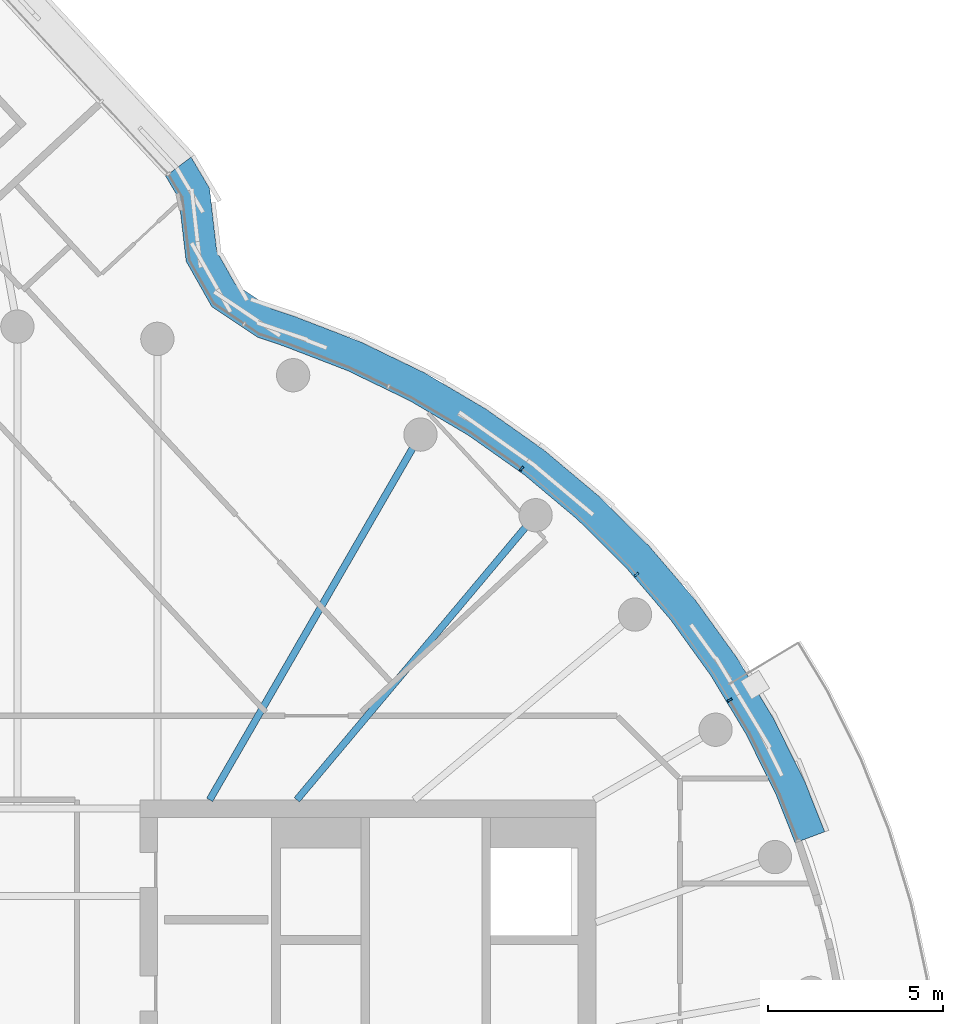
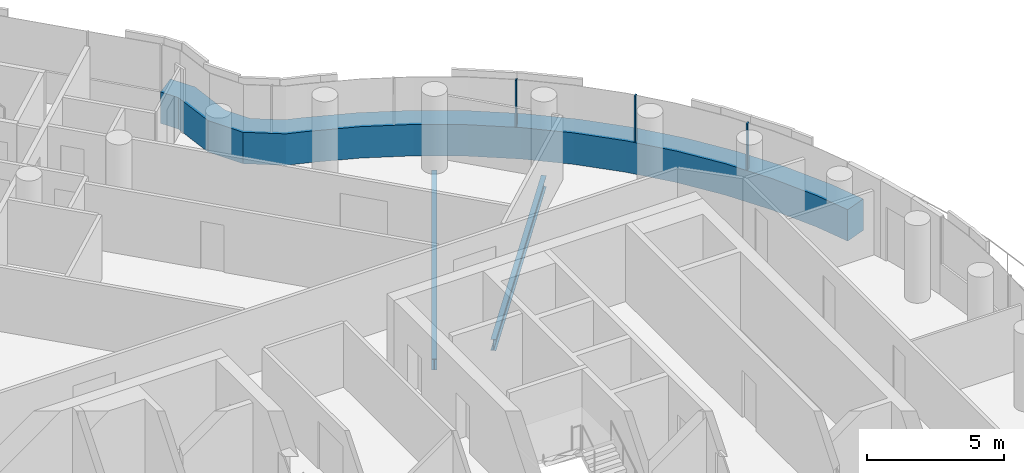
# One storey, part 13 of 34: 4 members, 2 beams, 1 element without a shape of its own.
"""IFC4 building model written with IfcOpenShell, lengths in metres."""

from ifc_helpers import new_model, si_unit, direction, frame, origin, origin_2d, place, context, subcontext, project, spatial, polyline, rectangle, i_section, outline, extrude, material, layer, layer_set, material_profile, profile_set, type_object, element, aggregate, save


model = new_model("IFC4")

# Units and contexts
model_context = context("Model", 3, precision=1e-05, world=origin(), true_north=direction((0.0, 1.0)))
body_context = subcontext(model_context, "Body", "Model", "MODEL_VIEW")
ifc_project = project(units=[si_unit("LENGTHUNIT", "METRE"), si_unit("AREAUNIT", "SQUARE_METRE"), si_unit("VOLUMEUNIT", "CUBIC_METRE"), si_unit("PLANEANGLEUNIT", "RADIAN"), si_unit("MASSUNIT", "GRAM", prefix="KILO")], contexts=[model_context])

# Site, building, storey
site_placement = place(None, origin())
site = spatial("IfcSite", under=ifc_project, at=site_placement, CompositionType="ELEMENT")
building_placement = place(site_placement, origin())
building = spatial("IfcBuilding", under=site, at=building_placement, Name="Tamarind Cross Interchange Tower", CompositionType="ELEMENT")
storey_placement = place(building_placement, frame((0.0, 0.0, 189.699951171875)))
storey = spatial("IfcBuildingStorey", under=building, at=storey_placement, Name="L47", CompositionType="ELEMENT", Elevation=189.699951171875)

# Beams
ifc_material_1 = material(Name="Steel Q355B", Category="steel")
ifc_material_profile_1 = material_profile(ifc_material_1, i_section(OverallWidth=0.198974609375, OverallDepth=0.49609375, WebThickness=0.009033203125, FlangeThickness=0.013916015625, FilletRadius=0.012939453125, at=origin_2d()), Name="HN 496x199x9x14")
ifc_profile_set_1 = profile_set([ifc_material_profile_1], Name="Steel Q355B")
beam_type = type_object("IfcBeamType", Name="Composite beam HN 496x199x9x14 Q355B", PredefinedType="BEAM", material=ifc_profile_set_1)
beam_1_placement = place(storey_placement, frame((14.7841796875, 17.619140625, -0.387939453125), z_axis=(-0.642786293979, -0.766045547127, 0.0), x_axis=(0.766045547127, -0.642786293979, 0.0)))
element("IfcBeam", 1, at=beam_1_placement, inside=storey, type_object=beam_type, Name="Beam HH05", PredefinedType="BEAM", context=body_context, shape_type="SweptSolid", body=[
    extrude(i_section(OverallWidth=0.198974609375, OverallDepth=0.49609375, WebThickness=0.009033203125, FlangeThickness=0.013916015625, FilletRadius=0.012939453125, at=origin_2d()), origin(), (0.0, 0.0, 1.0), 10.598876953125),
])
beam_2_placement = place(storey_placement, frame((11.5, 19.918701171875, -0.387939453125), z_axis=(-0.499993565836, -0.866029118519, 0.0), x_axis=(0.866029118519, -0.499993565836, 0.0)))
element("IfcBeam", 2, at=beam_2_placement, inside=storey, type_object=beam_type, Name="Beam HH06", PredefinedType="BEAM", context=body_context, shape_type="SweptSolid", body=[
    extrude(i_section(OverallWidth=0.198974609375, OverallDepth=0.49609375, WebThickness=0.009033203125, FlangeThickness=0.013916015625, FilletRadius=0.012939453125, at=origin_2d()), origin(), (0.0, 0.0, 1.0), 12.030517578125),
])

# Curtain wall, members
ifc_material_2 = material(Name="Aluminium 6063-T6", Category="aluminium")
ifc_layer = layer(ifc_material_2, 0.139892578125)
ifc_layer_set = layer_set([ifc_layer], Name="Aluminium 6063-T6")
curtain_wall_type = type_object("IfcCurtainWallType", Name="Hotel curtain wall, 4.5 m bays", PredefinedType="NOTDEFINED", material=ifc_layer_set)
curtain_wall_placement = place(storey_placement, origin())
curtain_wall = element("IfcCurtainWall", 3, at=curtain_wall_placement, inside=storey, type_object=curtain_wall_type, Name="CWS-L47-02", PredefinedType="NOTDEFINED")
ifc_material_3 = material(Name="Aluminium and insulated spandrel panel", Category="aluminium")
member_type_1 = type_object("IfcMemberType", Name="Floor-edge blade transom", PredefinedType="USERDEFINED", material=ifc_material_3)
member_1_placement = place(storey_placement, origin())
member_1 = element("IfcMember", 4, at=member_1_placement, type_object=member_type_1, Name="CWT-L47-02-1", ObjectType="TRANSOM", PredefinedType="USERDEFINED", context=body_context, shape_type="SweptSolid", body=[
    extrude(outline(polyline([(22.18798828125, 8.272705078125), (21.65869140625, 9.61181640625), (20.791015625, 11.367431640625), (19.78125, 13.045654296875), (18.636474609375, 14.634521484375), (17.3642578125, 16.12353515625), (15.973388671875, 17.50244140625), (14.4736328125, 18.76171875), (12.874755859375, 19.892822265625), (11.188232421875, 20.88818359375), (9.425048828125, 21.74072265625), (7.591796875, 22.44677734375), (6.853759765625, 22.6953125), (5.54345703125, 23.572509765625), (4.81494140625, 24.862548828125), (4.696044921875, 25.878662109375), (4.609619140625, 26.652099609375), (4.229248046875, 27.29296875), (4.954345703125, 27.834716796875), (5.482421875, 26.944580078125), (5.59033203125, 25.98095703125), (5.687744140625, 25.147216796875), (6.221923828125, 24.201416015625), (7.254638671875, 23.510009765625), (7.8974609375, 23.293701171875), (9.783203125, 22.567138671875), (11.613525390625, 21.68212890625), (13.3642578125, 20.64892578125), (15.023681640625, 19.474853515625), (16.580810546875, 18.167724609375), (18.0244140625, 16.736572265625), (19.344970703125, 15.19091796875), (20.533203125, 13.54150390625), (21.581298828125, 11.799560546875), (22.482177734375, 9.97705078125), (23.03125, 8.587158203125), (22.18798828125, 8.272705078125)])), origin(), (0.0, 0.0, 1.0), 1.400146484375),
])
ifc_material_profile_2 = material_profile(ifc_material_2, rectangle(XDim=0.06005859375, YDim=0.139892578125, at=origin_2d()), Name="Mullion CW2")
ifc_profile_set_2 = profile_set([ifc_material_profile_2], Name="Aluminium 6063-T6")
member_type_2 = type_object("IfcMemberType", Name="Mullion CW2", PredefinedType="MULLION", material=ifc_profile_set_2)
member_2_placement = place(storey_placement, frame((20.31982421875, 12.344482421875, 1.400146484375), z_axis=(0.0, 0.0, 1.0), x_axis=(-0.515577308909, 0.856843065292, 0.0)))
member_2 = element("IfcMember", 5, at=member_2_placement, type_object=member_type_2, Name="CWM-L47-02-09", PredefinedType="MULLION", context=body_context, shape_type="SweptSolid", body=[
    extrude(rectangle(XDim=0.06005859375, YDim=0.139892578125, at=origin_2d()), origin(), (0.0, 0.0, 1.0), 2.059814453125),
])
member_3_placement = place(storey_placement, frame((17.6640625, 15.926513671875, 1.400146484375), z_axis=(0.0, 0.0, 1.0), x_axis=(-0.64957723968, 0.760295606781, 0.0)))
member_3 = element("IfcMember", 6, at=member_3_placement, type_object=member_type_2, Name="CWM-L47-02-10", PredefinedType="MULLION", context=body_context, shape_type="SweptSolid", body=[
    extrude(rectangle(XDim=0.06005859375, YDim=0.139892578125, at=origin_2d()), origin(), (0.0, 0.0, 1.0), 2.059814453125),
])
member_4_placement = place(storey_placement, frame((14.38427734375, 18.947509765625, 1.400146484375), z_axis=(0.0, 0.0, 1.0), x_axis=(-0.816341886298, 0.577568978284, 0.0)))
member_4 = element("IfcMember", 7, at=member_4_placement, type_object=member_type_2, Name="CWM-L47-02-11", PredefinedType="MULLION", context=body_context, shape_type="SweptSolid", body=[
    extrude(rectangle(XDim=0.06005859375, YDim=0.139892578125, at=origin_2d()), origin(), (0.0, 0.0, 1.0), 2.059814453125),
])
aggregate(curtain_wall, [member_2, member_3, member_4, member_1])

save(model, "model.ifc")
